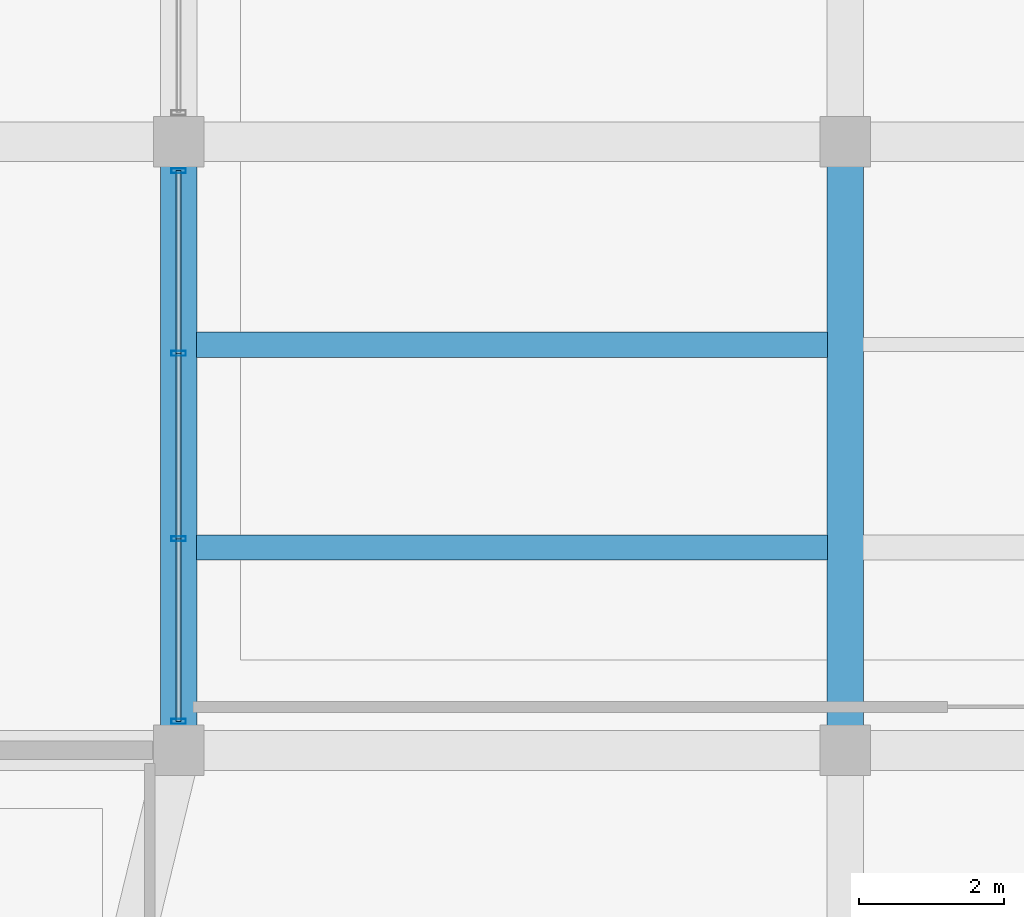
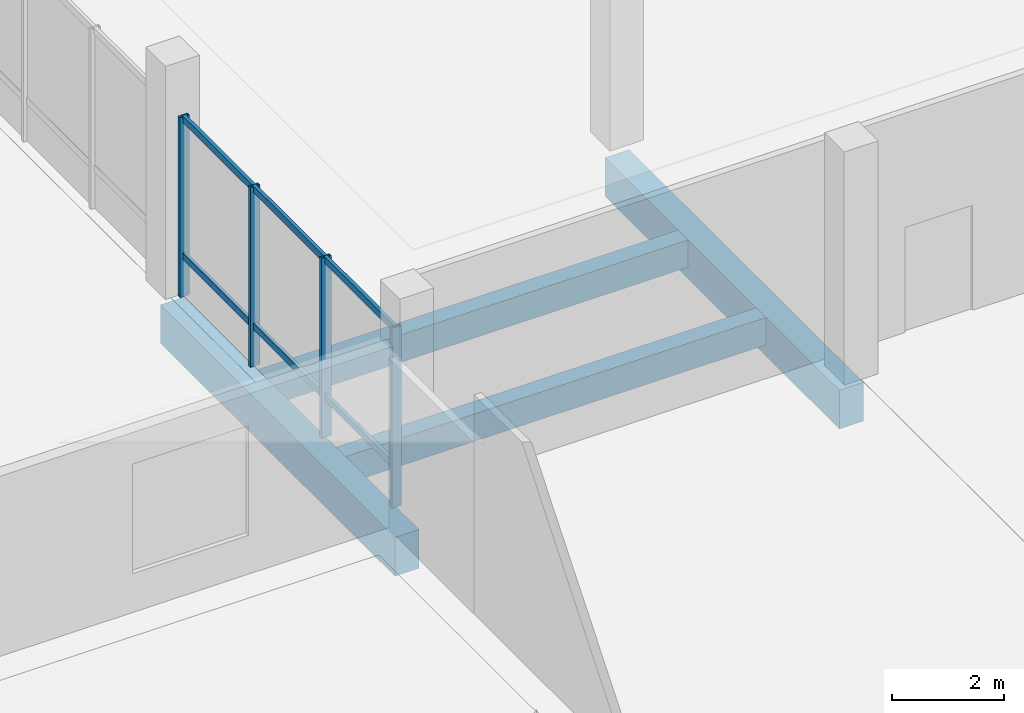
# One storey, part 35 of 73: 10 members, 4 beams, 1 element without a shape of its own.
"""IFC4 building model written with IfcOpenShell, lengths in metres."""

from ifc_helpers import new_model, si_unit, direction, frame, origin, origin_2d, place, context, subcontext, project, spatial, rectangle, hollow_rectangle, extrude, material, layer, layer_set, material_profile, profile_set, type_object, element, aggregate, save


model = new_model("IFC4")

# Units and contexts
model_context = context("Model", 3, precision=1e-05, world=origin(), true_north=direction((0.0, 1.0)))
body_context = subcontext(model_context, "Body", "Model", "MODEL_VIEW")
ifc_project = project(units=[si_unit("LENGTHUNIT", "METRE"), si_unit("AREAUNIT", "SQUARE_METRE"), si_unit("VOLUMEUNIT", "CUBIC_METRE"), si_unit("PLANEANGLEUNIT", "RADIAN"), si_unit("MASSUNIT", "GRAM", prefix="KILO")], contexts=[model_context])

# Site, building, storey
site_placement = place(None, origin())
site = spatial("IfcSite", under=ifc_project, at=site_placement, CompositionType="ELEMENT")
building_placement = place(site_placement, origin())
building = spatial("IfcBuilding", under=site, at=building_placement, Name="Meriwether Solvik Hall", CompositionType="ELEMENT")
storey_placement = place(building_placement, origin())
storey = spatial("IfcBuildingStorey", under=building, at=storey_placement, Name="L00", CompositionType="ELEMENT", Elevation=0.0)

# Beams
ifc_material_1 = material(Name="Concrete C40/50", Category="concrete")
ifc_material_profile_1 = material_profile(ifc_material_1, rectangle(XDim=0.35009765625, YDim=0.60009765625, at=origin_2d()), Name="RCB-350X600")
ifc_profile_set_1 = profile_set([ifc_material_profile_1], Name="Concrete C40/50")
beam_type_1 = type_object("IfcBeamType", Name="BM-RC-350X600", PredefinedType="JOIST", material=ifc_profile_set_1)
for number, where, z_axis, x_axis, name in (
    (1, (105.2451171875, 95.60009765625, -0.659912109375), (1.0, 0.0, 0.0), (0.0, 1.0, 0.0), "Secondary Floor Joist 12/K_J1 (L00)"),
    (2, (105.2451171875, 98.39990234375, -0.659912109375), (1.0, 0.0, 0.0), (0.0, 1.0, 0.0), "Secondary Floor Joist 12/K_J2 (L00)"),
):
    element("IfcBeam", number, at=place(storey_placement, frame(where, z_axis=z_axis, x_axis=x_axis)), inside=storey, type_object=beam_type_1, Name=name, PredefinedType="JOIST", context=body_context, shape_type="SweptSolid", body=[
        extrude(rectangle(XDim=0.35009765625, YDim=0.60009765625, at=origin_2d()), origin(), (0.0, 0.0, 1.0), 8.7099609375),
    ])
ifc_material_2 = material(Name="Concrete C40/50", Category="concrete")
ifc_material_profile_2 = material_profile(ifc_material_2, rectangle(XDim=0.5, YDim=0.85009765625, at=origin_2d()), Name="RCB-500X850")
ifc_profile_set_2 = profile_set([ifc_material_profile_2], Name="Concrete C40/50")
beam_type_2 = type_object("IfcBeamType", Name="BM-RC-500X850", PredefinedType="BEAM", material=ifc_profile_set_2)
for number, where, z_axis, x_axis, name in (
    (3, (105.0, 92.800048828125, -0.784912109375), (0.0, 1.0, 0.0), (-1.0, 0.0, 0.0), "Podium Girder 12:K-L (L00)"),
    (4, (114.199951171875, 92.800048828125, -0.784912109375), (0.0, 1.0, 0.0), (-1.0, 0.0, 0.0), "Podium Girder 13:K-L (L00)"),
):
    element("IfcBeam", number, at=place(storey_placement, frame(where, z_axis=z_axis, x_axis=x_axis)), inside=storey, type_object=beam_type_2, Name=name, PredefinedType="BEAM", context=body_context, shape_type="SweptSolid", body=[
        extrude(rectangle(XDim=0.5, YDim=0.85009765625, at=origin_2d()), origin(), (0.0, 0.0, 1.0), 8.39990234375),
    ])

# Curtain wall, members
ifc_material_3 = material(Name="Thermally Broken Anodised Aluminium 6063-T6 and Low-E Glass", Category="aluminium")
ifc_layer = layer(ifc_material_3, 0.179931640625)
ifc_layer_set = layer_set([ifc_layer], Name="Thermally Broken Anodised Aluminium 6063-T6 and Low-E Glass")
curtain_wall_type = type_object("IfcCurtainWallType", Name="CW-SF-POD-A", PredefinedType="USERDEFINED", material=ifc_layer_set)
curtain_wall_placement = place(storey_placement, origin())
curtain_wall = element("IfcCurtainWall", 5, at=curtain_wall_placement, inside=storey, type_object=curtain_wall_type, Name="Curtain Wall wing_Y12_11_56 (L00)", ObjectType="STICK STOREFRONT GLAZING", PredefinedType="USERDEFINED")
ifc_material_4 = material(Name="Anodised Aluminium 6063-T6", Category="aluminium")
ifc_material_profile_3 = material_profile(ifc_material_4, hollow_rectangle(XDim=0.070068359375, YDim=0.199951171875, WallThickness=0.0048828125, at=origin_2d()), Name="CWM-70X200")
ifc_profile_set_3 = profile_set([ifc_material_profile_3], Name="Anodised Aluminium 6063-T6")
member_type_1 = type_object("IfcMemberType", Name="CW-MUL-70X200", PredefinedType="MULLION", material=ifc_profile_set_3)
member_1_placement = place(storey_placement, frame((105.0, 93.199951171875, 0.0), z_axis=(0.0, 0.0, 1.0), x_axis=(0.0, 1.0, 0.0)))
member_1 = element("IfcMember", 6, at=member_1_placement, type_object=member_type_1, Name="Curtain Wall Mullion 1", PredefinedType="MULLION", context=body_context, shape_type="SweptSolid", body=[
    extrude(hollow_rectangle(XDim=0.070068359375, YDim=0.199951171875, WallThickness=0.0048828125, at=origin_2d()), origin(), (0.0, 0.0, 1.0), 3.93994140625),
])
member_2_placement = place(storey_placement, frame((105.0, 95.720703125, 0.0), z_axis=(0.0, 0.0, 1.0), x_axis=(0.0, 1.0, 0.0)))
member_2 = element("IfcMember", 7, at=member_2_placement, type_object=member_type_1, Name="Curtain Wall Mullion 2", PredefinedType="MULLION", context=body_context, shape_type="SweptSolid", body=[
    extrude(hollow_rectangle(XDim=0.070068359375, YDim=0.199951171875, WallThickness=0.0048828125, at=origin_2d()), origin(), (0.0, 0.0, 1.0), 3.93994140625),
])
member_3_placement = place(storey_placement, frame((105.0, 98.279296875, 0.0), z_axis=(0.0, 0.0, 1.0), x_axis=(0.0, 1.0, 0.0)))
member_3 = element("IfcMember", 8, at=member_3_placement, type_object=member_type_1, Name="Curtain Wall Mullion 3", PredefinedType="MULLION", context=body_context, shape_type="SweptSolid", body=[
    extrude(hollow_rectangle(XDim=0.070068359375, YDim=0.199951171875, WallThickness=0.0048828125, at=origin_2d()), origin(), (0.0, 0.0, 1.0), 3.93994140625),
])
member_4_placement = place(storey_placement, frame((105.0, 100.800048828125, 0.0), z_axis=(0.0, 0.0, 1.0), x_axis=(0.0, 1.0, 0.0)))
member_4 = element("IfcMember", 9, at=member_4_placement, type_object=member_type_1, Name="Curtain Wall Mullion 4", PredefinedType="MULLION", context=body_context, shape_type="SweptSolid", body=[
    extrude(hollow_rectangle(XDim=0.070068359375, YDim=0.199951171875, WallThickness=0.0048828125, at=origin_2d()), origin(), (0.0, 0.0, 1.0), 3.93994140625),
])
ifc_material_5 = material(Name="Anodised Aluminium 6063-T6", Category="aluminium")
ifc_material_profile_4 = material_profile(ifc_material_5, hollow_rectangle(XDim=0.070068359375, YDim=0.14990234375, WallThickness=0.0048828125, at=origin_2d()), Name="CWT-70X150")
ifc_profile_set_4 = profile_set([ifc_material_profile_4], Name="Anodised Aluminium 6063-T6")
member_type_2 = type_object("IfcMemberType", Name="CW-TRN-70X150", PredefinedType="USERDEFINED", material=ifc_profile_set_4)
member_5_placement = place(storey_placement, frame((105.0, 93.199951171875, 0.8798828125), z_axis=(0.0, 1.0, 0.0), x_axis=(-1.0, 0.0, 0.0)))
member_5 = element("IfcMember", 10, at=member_5_placement, type_object=member_type_2, Name="Curtain Wall Transom 1-sill", ObjectType="TRANSOM", PredefinedType="USERDEFINED", context=body_context, shape_type="SweptSolid", body=[
    extrude(hollow_rectangle(XDim=0.070068359375, YDim=0.14990234375, WallThickness=0.0048828125, at=origin_2d()), origin(), (0.0, 0.0, 1.0), 2.520751953125),
])
member_6_placement = place(storey_placement, frame((105.0, 93.199951171875, 3.8798828125), z_axis=(0.0, 1.0, 0.0), x_axis=(-1.0, 0.0, 0.0)))
member_6 = element("IfcMember", 11, at=member_6_placement, type_object=member_type_2, Name="Curtain Wall Transom 1-head", ObjectType="TRANSOM", PredefinedType="USERDEFINED", context=body_context, shape_type="SweptSolid", body=[
    extrude(hollow_rectangle(XDim=0.070068359375, YDim=0.14990234375, WallThickness=0.0048828125, at=origin_2d()), origin(), (0.0, 0.0, 1.0), 2.520751953125),
])
member_7_placement = place(storey_placement, frame((105.0, 95.720703125, 0.8798828125), z_axis=(0.0, 1.0, 0.0), x_axis=(-1.0, 0.0, 0.0)))
member_7 = element("IfcMember", 12, at=member_7_placement, type_object=member_type_2, Name="Curtain Wall Transom 2-sill", ObjectType="TRANSOM", PredefinedType="USERDEFINED", context=body_context, shape_type="SweptSolid", body=[
    extrude(hollow_rectangle(XDim=0.070068359375, YDim=0.14990234375, WallThickness=0.0048828125, at=origin_2d()), origin(), (0.0, 0.0, 1.0), 2.55859375),
])
member_8_placement = place(storey_placement, frame((105.0, 95.720703125, 3.8798828125), z_axis=(0.0, 1.0, 0.0), x_axis=(-1.0, 0.0, 0.0)))
member_8 = element("IfcMember", 13, at=member_8_placement, type_object=member_type_2, Name="Curtain Wall Transom 2-head", ObjectType="TRANSOM", PredefinedType="USERDEFINED", context=body_context, shape_type="SweptSolid", body=[
    extrude(hollow_rectangle(XDim=0.070068359375, YDim=0.14990234375, WallThickness=0.0048828125, at=origin_2d()), origin(), (0.0, 0.0, 1.0), 2.55859375),
])
member_9_placement = place(storey_placement, frame((105.0, 98.279296875, 0.8798828125), z_axis=(0.0, 1.0, 0.0), x_axis=(-1.0, 0.0, 0.0)))
member_9 = element("IfcMember", 14, at=member_9_placement, type_object=member_type_2, Name="Curtain Wall Transom 3-sill", ObjectType="TRANSOM", PredefinedType="USERDEFINED", context=body_context, shape_type="SweptSolid", body=[
    extrude(hollow_rectangle(XDim=0.070068359375, YDim=0.14990234375, WallThickness=0.0048828125, at=origin_2d()), origin(), (0.0, 0.0, 1.0), 2.520751953125),
])
member_10_placement = place(storey_placement, frame((105.0, 98.279296875, 3.8798828125), z_axis=(0.0, 1.0, 0.0), x_axis=(-1.0, 0.0, 0.0)))
member_10 = element("IfcMember", 15, at=member_10_placement, type_object=member_type_2, Name="Curtain Wall Transom 3-head", ObjectType="TRANSOM", PredefinedType="USERDEFINED", context=body_context, shape_type="SweptSolid", body=[
    extrude(hollow_rectangle(XDim=0.070068359375, YDim=0.14990234375, WallThickness=0.0048828125, at=origin_2d()), origin(), (0.0, 0.0, 1.0), 2.520751953125),
])
aggregate(curtain_wall, [member_1, member_2, member_3, member_4, member_5, member_6, member_7, member_8, member_9, member_10])

save(model, "model.ifc")
